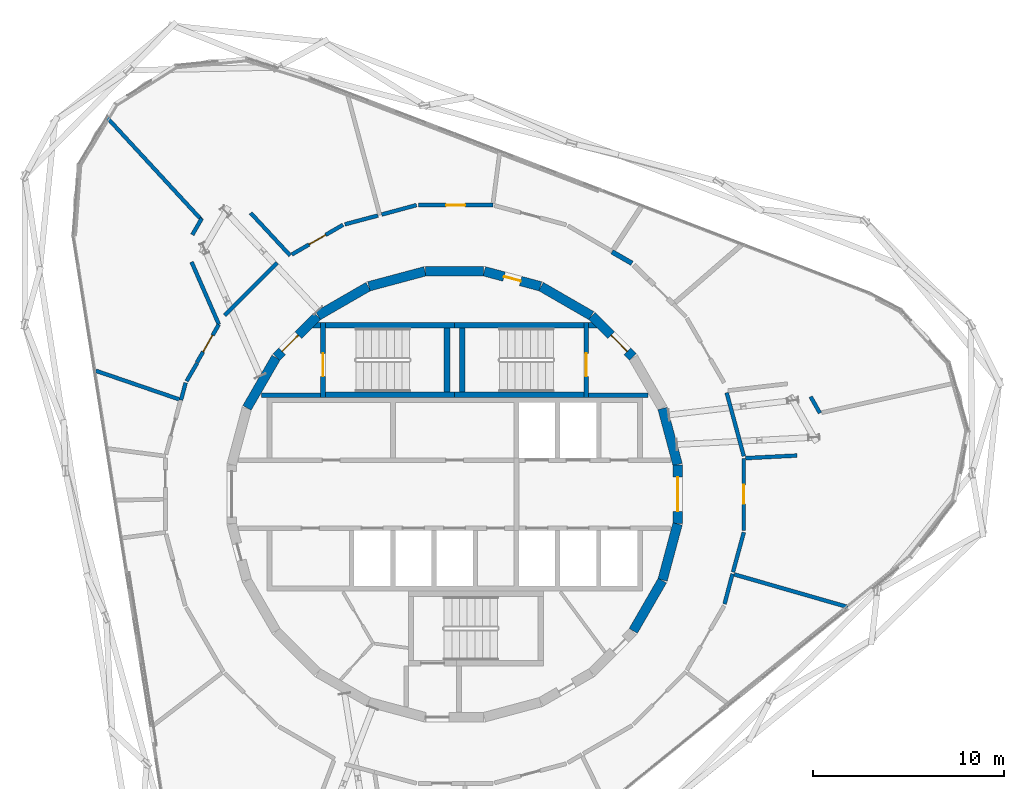
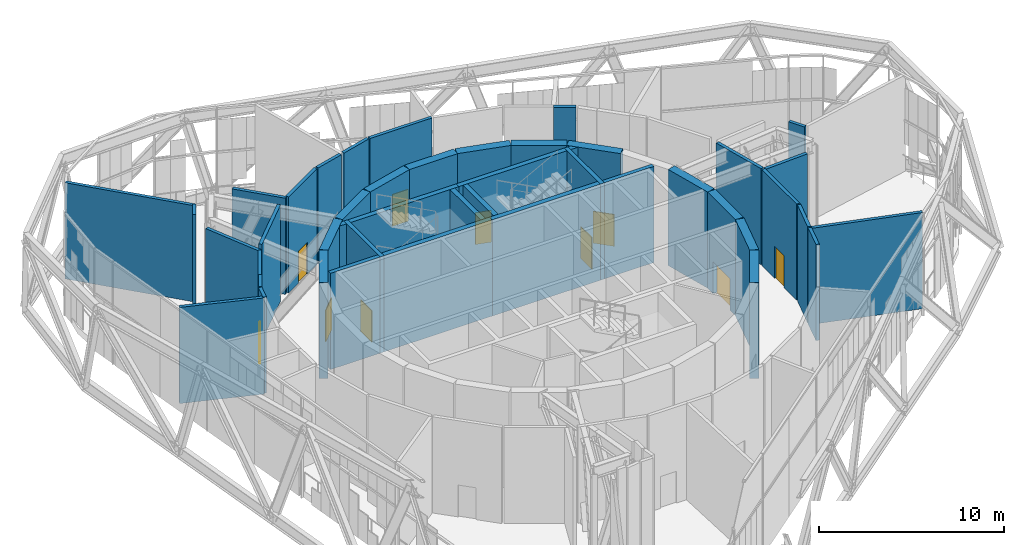
# One storey, part 21 of 25: 45 walls, 10 doors, 10 openings.
"""IFC4 building model written with IfcOpenShell, lengths in metres."""

from ifc_helpers import new_model, si_unit, direction, frame, frame_2d, origin, place, context, subcontext, project, spatial, polyline, rectangle, outline, extrude, material, layer, layer_set, type_object, element, fill, save


model = new_model("IFC4")

# Units and contexts
model_context = context("Model", 3, precision=1e-05, world=origin(), true_north=direction((0.0, 1.0)))
body_context = subcontext(model_context, "Body", "Model", "MODEL_VIEW")
ifc_project = project(units=[si_unit("LENGTHUNIT", "METRE"), si_unit("AREAUNIT", "SQUARE_METRE"), si_unit("VOLUMEUNIT", "CUBIC_METRE"), si_unit("PLANEANGLEUNIT", "RADIAN"), si_unit("MASSUNIT", "GRAM", prefix="KILO")], contexts=[model_context])

# Site, building, storey
site_placement = place(None, origin())
site = spatial("IfcSite", under=ifc_project, at=site_placement, CompositionType="ELEMENT")
building_placement = place(site_placement, origin())
building = spatial("IfcBuilding", under=site, at=building_placement, Name="Spindle Arch Residences", CompositionType="ELEMENT")
storey_placement = place(building_placement, frame((0.0, 0.0, 291.39990234375)))
storey = spatial("IfcBuildingStorey", under=building, at=storey_placement, Name="L75", CompositionType="ELEMENT", Elevation=291.39990234375)

# Walls
ifc_material_1 = material(Name="Concrete C50/60", Category="concrete")
ifc_layer_1 = layer(ifc_material_1, 0.5)
ifc_layer_set_1 = layer_set([ifc_layer_1], Name="Core outline wall 500")
wall_type_1 = type_object("IfcWallType", Name="Core outline wall 500", PredefinedType="SHEAR", material=ifc_layer_set_1)
for number, where, z_axis, x_axis, name in (
    (1, (9.32861328125, -7.13671875, 0.0), (0.0, 0.0, 1.0), (0.500087131594, 0.865975092491, 0.0), "Core outline wall 4"),
    (2, (10.858154296875, -4.479248046875, 0.0), (0.0, 0.0, 1.0), (0.258734743916, 0.965948410781, 0.0), "Core outline wall 5"),
):
    element("IfcWall", number, at=place(storey_placement, frame(where, z_axis=z_axis, x_axis=x_axis)), inside=storey, type_object=wall_type_1, Name=name, PredefinedType="SHEAR", context=body_context, shape_type="SweptSolid", body=[
        extrude(rectangle(XDim=3.03271484375, YDim=0.5, at=frame_2d((1.516357421875, 0.0))), origin(), (0.0, 0.0, 1.0), 6.35009765625),
    ])

# Wall, opening, door
wall_1_placement = place(storey_placement, frame((11.647216796875, -1.516357421875, 0.0), z_axis=(0.0, 0.0, 1.0), x_axis=(0.0, 1.0, 0.0)))
wall_1 = element("IfcWall", 3, at=wall_1_placement, inside=storey, type_object=wall_type_1, Name="Core outline wall 6", PredefinedType="SHEAR", context=body_context, shape_type="SweptSolid", body=[
    extrude(rectangle(XDim=3.03271484375, YDim=0.5, at=frame_2d((1.516357421875, 0.0))), origin(), (0.0, 0.0, 1.0), 6.35009765625),
])
opening_1_placement = place(wall_1_placement, frame((0.6162109375, 0.0, 0.0)))
opening_1 = element("IfcOpeningElement", 4, at=opening_1_placement, cuts=wall_1, Name="Opening L75-FE01", PredefinedType="OPENING", context=body_context, shape_type="SweptSolid", body=[
    extrude(rectangle(XDim=1.800048828125, YDim=2.10009765625, at=frame_2d((0.89990234375, 1.050048828125))), frame((0.0, 0.260009765625, 0.0), z_axis=(0.0, -1.0, 0.0), x_axis=(1.0, 0.0, 0.0)), (0.0, 0.0, 1.0), 0.52001953125),
])
ifc_material_2 = material(Name="Steel, fire-resisting door", Category="steel")
door_type_1 = type_object("IfcDoorType", Name="Fire-lift lobby door 1800x2100", OperationType="DOUBLE_DOOR_SINGLE_SWING", PredefinedType="DOOR", material=ifc_material_2)
door_1_placement = place(opening_1_placement, origin())
door_1 = element("IfcDoor", 5, at=door_1_placement, inside=storey, type_object=door_type_1, Name="Fire-lift lobby door L75-FE01", OperationType="DOUBLE_DOOR_SINGLE_SWING", OverallHeight=2.10009765625, OverallWidth=1.800048828125, PredefinedType="DOOR", context=body_context, shape_type="SweptSolid", body=[
    extrude(rectangle(XDim=1.800048828125, YDim=2.10009765625, at=frame_2d((0.89990234375, 1.050048828125))), frame((0.0, 0.02490234375, 0.0), z_axis=(0.0, -1.0, 0.0), x_axis=(1.0, 0.0, 0.0)), (0.0, 0.0, 1.0), 0.050048828125),
])
fill(opening_1, door_1)

# Wall
wall_2_placement = place(storey_placement, frame((11.642822265625, 1.5498046875, 0.0), z_axis=(0.0, 0.0, 1.0), x_axis=(-0.258734743916, 0.965948410781, 0.0)))
element("IfcWall", 6, at=wall_2_placement, inside=storey, type_object=wall_type_1, Name="Core outline wall 7", PredefinedType="SHEAR", context=body_context, shape_type="SweptSolid", body=[
    extrude(rectangle(XDim=3.03271484375, YDim=0.5, at=frame_2d((1.516357421875, 0.0))), origin(), (0.0, 0.0, 1.0), 6.35009765625),
])

# Wall, opening, door
wall_3_placement = place(storey_placement, frame((9.30810546875, 7.163818359375, 0.0), z_axis=(0.0, 0.0, 1.0), x_axis=(-0.707106781187, 0.707106781187, 0.0)))
wall_3 = element("IfcWall", 7, at=wall_3_placement, inside=storey, type_object=wall_type_1, Name="Core outline wall 9", PredefinedType="SHEAR", context=body_context, shape_type="SweptSolid", body=[
    extrude(rectangle(XDim=3.032470703125, YDim=0.5, at=frame_2d((1.51611328125, 0.0))), origin(), (0.0, 0.0, 1.0), 6.35009765625),
])
opening_2_placement = place(wall_3_placement, frame((0.416259765625, 0.0, 0.0)))
opening_2 = element("IfcOpeningElement", 8, at=opening_2_placement, cuts=wall_3, Name="Opening L75-AD01", PredefinedType="OPENING", context=body_context, shape_type="SweptSolid", body=[
    extrude(rectangle(XDim=1.199951171875, YDim=2.10009765625, at=frame_2d((0.60009765625, 1.050048828125))), frame((0.0, 0.260009765625, 0.0), z_axis=(0.0, -1.0, 0.0), x_axis=(1.0, 0.0, 0.0)), (0.0, 0.0, 1.0), 0.52001953125),
])
ifc_material_3 = material(Name="Steel, fire-resisting door", Category="steel")
door_type_2 = type_object("IfcDoorType", Name="Stair airlock door 1200x2100", OperationType="SINGLE_SWING_LEFT", PredefinedType="DOOR", material=ifc_material_3)
door_2_placement = place(opening_2_placement, origin())
door_2 = element("IfcDoor", 9, at=door_2_placement, inside=storey, type_object=door_type_2, Name="Stair airlock door L75-AD01", OperationType="SINGLE_SWING_RIGHT", OverallHeight=2.10009765625, OverallWidth=1.199951171875, PredefinedType="DOOR", context=body_context, shape_type="SweptSolid", body=[
    extrude(rectangle(XDim=1.199951171875, YDim=2.10009765625, at=frame_2d((0.60009765625, 1.050048828125))), frame((0.0, 0.02490234375, 0.0), z_axis=(0.0, -1.0, 0.0), x_axis=(1.0, 0.0, 0.0)), (0.0, 0.0, 1.0), 0.050048828125),
])
fill(opening_2, door_2)

# Wall
wall_4_placement = place(storey_placement, frame((7.13671875, 9.32861328125, 0.0), z_axis=(0.0, 0.0, 1.0), x_axis=(-0.865975092491, 0.500087131594, 0.0)))
element("IfcWall", 10, at=wall_4_placement, inside=storey, type_object=wall_type_1, Name="Core outline wall 10", PredefinedType="SHEAR", context=body_context, shape_type="SweptSolid", body=[
    extrude(rectangle(XDim=3.03271484375, YDim=0.5, at=frame_2d((1.516357421875, 0.0))), origin(), (0.0, 0.0, 1.0), 6.35009765625),
])

# Wall, opening, door
wall_5_placement = place(storey_placement, frame((4.479248046875, 10.858154296875, 0.0), z_axis=(0.0, 0.0, 1.0), x_axis=(-0.965948410781, 0.258734743916, 0.0)))
wall_5 = element("IfcWall", 11, at=wall_5_placement, inside=storey, type_object=wall_type_1, Name="Core outline wall 11", PredefinedType="SHEAR", context=body_context, shape_type="SweptSolid", body=[
    extrude(rectangle(XDim=3.03271484375, YDim=0.5, at=frame_2d((1.516357421875, 0.0))), origin(), (0.0, 0.0, 1.0), 6.35009765625),
])
opening_3_placement = place(wall_5_placement, frame((1.066162109375, 0.0, 0.0)))
opening_3 = element("IfcOpeningElement", 12, at=opening_3_placement, cuts=wall_5, Name="Opening L75-WD11", PredefinedType="OPENING", context=body_context, shape_type="SweptSolid", body=[
    extrude(rectangle(XDim=0.89990234375, YDim=2.10009765625, at=frame_2d((0.449951171875, 1.050048828125))), frame((0.0, 0.260009765625, 0.0), z_axis=(0.0, -1.0, 0.0), x_axis=(1.0, 0.0, 0.0)), (0.0, 0.0, 1.0), 0.52001953125),
])
ifc_material_4 = material(Name="Steel, fire-resisting door", Category="steel")
door_type_3 = type_object("IfcDoorType", Name="Service room door 900x2100", OperationType="SINGLE_SWING_LEFT", PredefinedType="DOOR", material=ifc_material_4)
door_3_placement = place(opening_3_placement, origin())
door_3 = element("IfcDoor", 13, at=door_3_placement, inside=storey, type_object=door_type_3, Name="Service room door L75-WD11", OperationType="SINGLE_SWING_LEFT", OverallHeight=2.10009765625, OverallWidth=0.89990234375, PredefinedType="DOOR", context=body_context, shape_type="SweptSolid", body=[
    extrude(rectangle(XDim=0.89990234375, YDim=2.10009765625, at=frame_2d((0.449951171875, 1.050048828125))), frame((0.0, 0.02490234375, 0.0), z_axis=(0.0, -1.0, 0.0), x_axis=(1.0, 0.0, 0.0)), (0.0, 0.0, 1.0), 0.050048828125),
])
fill(opening_3, door_3)

# Walls
for number, where, z_axis, x_axis, name in (
    (14, (1.516357421875, 11.647216796875, 0.0), (0.0, 0.0, 1.0), (-1.0, 0.0, 0.0), "Core outline wall 12"),
    (15, (-1.5498046875, 11.642822265625, 0.0), (0.0, 0.0, 1.0), (-0.965948410781, -0.258734743916, 0.0), "Core outline wall 13"),
    (16, (-4.510498046875, 10.84521484375, 0.0), (0.0, 0.0, 1.0), (-0.865975092491, -0.500087131594, 0.0), "Core outline wall 14"),
):
    element("IfcWall", number, at=place(storey_placement, frame(where, z_axis=z_axis, x_axis=x_axis)), inside=storey, type_object=wall_type_1, Name=name, PredefinedType="SHEAR", context=body_context, shape_type="SweptSolid", body=[
        extrude(rectangle(XDim=3.03271484375, YDim=0.5, at=frame_2d((1.516357421875, 0.0))), origin(), (0.0, 0.0, 1.0), 6.35009765625),
    ])

# Wall, opening, door
wall_6_placement = place(storey_placement, frame((-7.163818359375, 9.30810546875, 0.0), z_axis=(0.0, 0.0, 1.0), x_axis=(-0.707106781187, -0.707106781187, 0.0)))
wall_6 = element("IfcWall", 17, at=wall_6_placement, inside=storey, type_object=wall_type_1, Name="Core outline wall 15", PredefinedType="SHEAR", context=body_context, shape_type="SweptSolid", body=[
    extrude(rectangle(XDim=3.032470703125, YDim=0.5, at=frame_2d((1.51611328125, 0.0))), origin(), (0.0, 0.0, 1.0), 6.35009765625),
])
opening_4_placement = place(wall_6_placement, frame((1.416259765625, 0.0, 0.0)))
opening_4 = element("IfcOpeningElement", 18, at=opening_4_placement, cuts=wall_6, Name="Opening L75-AD02", PredefinedType="OPENING", context=body_context, shape_type="SweptSolid", body=[
    extrude(rectangle(XDim=1.199951171875, YDim=2.10009765625, at=frame_2d((0.60009765625, 1.050048828125))), frame((0.0, 0.260009765625, 0.0), z_axis=(0.0, -1.0, 0.0), x_axis=(1.0, 0.0, 0.0)), (0.0, 0.0, 1.0), 0.52001953125),
])
door_4_placement = place(opening_4_placement, origin())
door_4 = element("IfcDoor", 19, at=door_4_placement, inside=storey, type_object=door_type_2, Name="Stair airlock door L75-AD02", OperationType="SINGLE_SWING_RIGHT", OverallHeight=2.10009765625, OverallWidth=1.199951171875, PredefinedType="DOOR", context=body_context, shape_type="SweptSolid", body=[
    extrude(rectangle(XDim=1.199951171875, YDim=2.10009765625, at=frame_2d((0.60009765625, 1.050048828125))), frame((0.0, 0.02490234375, 0.0), z_axis=(0.0, -1.0, 0.0), x_axis=(1.0, 0.0, 0.0)), (0.0, 0.0, 1.0), 0.050048828125),
])
fill(opening_4, door_4)

# Walls
wall_7_placement = place(storey_placement, frame((-9.32861328125, 7.13671875, 0.0), z_axis=(0.0, 0.0, 1.0), x_axis=(-0.500087131594, -0.865975092491, 0.0)))
element("IfcWall", 20, at=wall_7_placement, inside=storey, type_object=wall_type_1, Name="Core outline wall 16", PredefinedType="SHEAR", context=body_context, shape_type="SweptSolid", body=[
    extrude(rectangle(XDim=3.03271484375, YDim=0.5, at=frame_2d((1.516357421875, 0.0))), origin(), (0.0, 0.0, 1.0), 6.35009765625),
])
ifc_material_5 = material(Name="Concrete C25/30 wall", Category="concrete")
ifc_layer_2 = layer(ifc_material_5, 0.25)
ifc_layer_set_2 = layer_set([ifc_layer_2], Name="Partition EI 120 250 store")
wall_type_2 = type_object("IfcWallType", Name="Partition EI 120 250 store", PredefinedType="PARTITIONING", material=ifc_layer_set_2)
wall_8_placement = place(storey_placement, frame((9.260009765625, 12.06005859375, 0.0), z_axis=(0.0, 0.0, 1.0), x_axis=(-0.866246515178, 0.499616828121, 0.0)))
element("IfcWall", 21, at=wall_8_placement, inside=storey, type_object=wall_type_2, Name="L75-W046", PredefinedType="PARTITIONING", context=body_context, shape_type="SweptSolid", body=[
    extrude(rectangle(XDim=1.20068359375, YDim=0.25, at=frame_2d((0.600341796875, 0.0))), origin(), (0.0, 0.0, 1.0), 6.35009765625),
])
ifc_material_6 = material(Name="Gypsum board partition on steel studs", Category="steel")
ifc_layer_3 = layer(ifc_material_6, 0.199951171875)
ifc_layer_set_3 = layer_set([ifc_layer_3], Name="Partition EI 60 200 amenity")
wall_type_3 = type_object("IfcWallType", Name="Partition EI 60 200 amenity", PredefinedType="PARTITIONING", material=ifc_layer_set_3)
wall_9_placement = place(storey_placement, frame((-18.739990234375, 6.449951171875, 0.0), z_axis=(0.0, 0.0, 1.0), x_axis=(0.945868240393, -0.324550877084, 0.0)))
element("IfcWall", 22, at=wall_9_placement, inside=storey, type_object=wall_type_3, Name="L75-W001", PredefinedType="PARTITIONING", context=body_context, shape_type="SweptSolid", body=[
    extrude(rectangle(XDim=4.683349609375, YDim=0.199951171875, at=frame_2d((2.341796875, 0.0))), origin(), (0.0, 0.0, 1.0), 6.35009765625),
])
wall_10_placement = place(storey_placement, frame((-14.050048828125, 5.820068359375, 0.0), z_axis=(0.0, 0.0, 1.0), x_axis=(-0.257613716205, -0.966247987435, 0.0)))
element("IfcWall", 23, at=wall_10_placement, inside=storey, type_object=wall_type_3, Name="L75-W010", PredefinedType="PARTITIONING", context=body_context, shape_type="SweptSolid", body=[
    extrude(rectangle(XDim=0.931640625, YDim=0.199951171875, at=frame_2d((0.4658203125, 0.0))), origin(), (0.0, 0.0, 1.0), 6.35009765625),
])
wall_11_placement = place(storey_placement, frame((-13.699951171875, 13.550048828125, 0.0), z_axis=(0.0, 0.0, 1.0), x_axis=(0.500425153996, 0.865779801825, 0.0)))
element("IfcWall", 24, at=wall_11_placement, inside=storey, type_object=wall_type_3, Name="L75-W011", PredefinedType="PARTITIONING", context=body_context, shape_type="SweptSolid", body=[
    extrude(rectangle(XDim=0.992431640625, YDim=0.199951171875, at=frame_2d((0.49609375, 0.0))), origin(), (0.0, 0.0, 1.0), 6.35009765625),
])
wall_12_placement = place(storey_placement, frame((-13.449951171875, 6.85009765625, 0.0), z_axis=(0.0, 0.0, 1.0), x_axis=(-0.503440074209, -0.864030145123, 0.0)))
element("IfcWall", 25, at=wall_12_placement, inside=storey, type_object=wall_type_3, Name="L75-W012", PredefinedType="PARTITIONING", context=body_context, shape_type="SweptSolid", body=[
    extrude(rectangle(XDim=1.092041015625, YDim=0.199951171875, at=frame_2d((0.5458984375, 0.0))), origin(), (0.0, 0.0, 1.0), 6.35009765625),
])
wall_13_placement = place(storey_placement, frame((-13.239990234375, 14.35009765625, 0.0), z_axis=(0.0, 0.0, 1.0), x_axis=(-0.678399850878, 0.734692889804, 0.0)))
element("IfcWall", 26, at=wall_13_placement, inside=storey, type_object=wall_type_3, Name="L75-W013", PredefinedType="PARTITIONING", context=body_context, shape_type="SweptSolid", body=[
    extrude(rectangle(XDim=7.28173828125, YDim=0.199951171875, at=frame_2d((3.640869140625, 0.0))), origin(), (0.0, 0.0, 1.0), 6.35009765625),
])

# Wall, opening, door
wall_14_placement = place(storey_placement, frame((-12.320068359375, 8.860107421875, 0.0), z_axis=(0.0, 0.0, 1.0), x_axis=(-0.498886625959, -0.866667257048, 0.0)))
wall_14 = element("IfcWall", 27, at=wall_14_placement, inside=storey, type_object=wall_type_3, Name="L75-W014", PredefinedType="PARTITIONING", context=body_context, shape_type="SweptSolid", body=[
    extrude(rectangle(XDim=2.284912109375, YDim=0.199951171875, at=frame_2d((1.142578125, 0.0))), origin(), (0.0, 0.0, 1.0), 6.35009765625),
])
opening_5_placement = place(wall_14_placement, frame((0.642333984375, 0.0, 0.0)))
opening_5 = element("IfcOpeningElement", 28, at=opening_5_placement, cuts=wall_14, Name="Opening L75-D11", PredefinedType="OPENING", context=body_context, shape_type="SweptSolid", body=[
    extrude(rectangle(XDim=1.0, YDim=2.10009765625, at=frame_2d((0.5, 1.050048828125))), frame((0.0, 0.10986328125, 0.0), z_axis=(0.0, -1.0, 0.0), x_axis=(1.0, 0.0, 0.0)), (0.0, 0.0, 1.0), 0.219970703125),
])
ifc_material_7 = material(Name="Timber door leaf", Category="wood")
door_type_4 = type_object("IfcDoorType", Name="Door 1000x2100 EI 30", OperationType="SINGLE_SWING_LEFT", PredefinedType="DOOR", material=ifc_material_7)
door_5_placement = place(opening_5_placement, origin())
door_5 = element("IfcDoor", 29, at=door_5_placement, inside=storey, type_object=door_type_4, Name="L75-D11", OperationType="SINGLE_SWING_LEFT", OverallHeight=2.10009765625, OverallWidth=1.0, PredefinedType="DOOR", context=body_context, shape_type="SweptSolid", body=[
    extrude(rectangle(XDim=1.0, YDim=2.10009765625, at=frame_2d((0.5, 1.050048828125))), frame((0.0, 0.02490234375, 0.0), z_axis=(0.0, -1.0, 0.0), x_axis=(1.0, 0.0, 0.0)), (0.0, 0.0, 1.0), 0.050048828125),
])
fill(opening_5, door_5)

# Walls
wall_15_placement = place(storey_placement, frame((-12.31005859375, 8.860107421875, 0.0), z_axis=(0.0, 0.0, 1.0), x_axis=(-0.400829604246, 0.916152622853, 0.0)))
element("IfcWall", 30, at=wall_15_placement, inside=storey, type_object=wall_type_3, Name="L75-W015", PredefinedType="PARTITIONING", context=body_context, shape_type="SweptSolid", body=[
    extrude(rectangle(XDim=3.5673828125, YDim=0.199951171875, at=frame_2d((1.78369140625, 0.0))), origin(), (0.0, 0.0, 1.0), 6.35009765625),
])
wall_16_placement = place(storey_placement, frame((-12.00927734375, 9.3408203125, 0.0), z_axis=(0.0, 0.0, 1.0), x_axis=(0.707106781187, 0.707106781187, 0.0)))
element("IfcWall", 31, at=wall_16_placement, inside=storey, type_object=wall_type_3, Name="L75-W018", PredefinedType="PARTITIONING", context=body_context, shape_type="SweptSolid", body=[
    extrude(rectangle(XDim=3.873779296875, YDim=0.199951171875, at=frame_2d((1.93701171875, 0.0))), origin(), (0.0, 0.0, 1.0), 6.35009765625),
])
wall_17_placement = place(storey_placement, frame((-8.590087890625, 12.469970703125, 0.0), z_axis=(0.0, 0.0, 1.0), x_axis=(-0.680892267187, 0.73238358835, 0.0)))
element("IfcWall", 32, at=wall_17_placement, inside=storey, type_object=wall_type_3, Name="L75-W020", PredefinedType="PARTITIONING", context=body_context, shape_type="SweptSolid", body=[
    extrude(rectangle(XDim=3.034423828125, YDim=0.199951171875, at=frame_2d((1.51708984375, 0.0))), origin(), (0.0, 0.0, 1.0), 6.35009765625),
])

# Wall, opening, door
wall_18_placement = place(storey_placement, frame((-5.830078125, 14.070068359375, 0.0), z_axis=(0.0, 0.0, 1.0), x_axis=(-0.865134039498, -0.501540719884, 0.0)))
wall_18 = element("IfcWall", 33, at=wall_18_placement, inside=storey, type_object=wall_type_3, Name="L75-W025", PredefinedType="PARTITIONING", context=body_context, shape_type="SweptSolid", body=[
    extrude(rectangle(XDim=3.090087890625, YDim=0.199951171875, at=frame_2d((1.544921875, 0.0))), origin(), (0.0, 0.0, 1.0), 6.35009765625),
])
opening_6_placement = place(wall_18_placement, frame((1.045166015625, 0.0, 0.0)))
opening_6 = element("IfcOpeningElement", 34, at=opening_6_placement, cuts=wall_18, Name="Opening L75-D15", PredefinedType="OPENING", context=body_context, shape_type="SweptSolid", body=[
    extrude(rectangle(XDim=1.0, YDim=2.10009765625, at=frame_2d((0.5, 1.050048828125))), frame((0.0, 0.10986328125, 0.0), z_axis=(0.0, -1.0, 0.0), x_axis=(1.0, 0.0, 0.0)), (0.0, 0.0, 1.0), 0.219970703125),
])
door_6_placement = place(opening_6_placement, origin())
door_6 = element("IfcDoor", 35, at=door_6_placement, inside=storey, type_object=door_type_4, Name="L75-D15", OperationType="SINGLE_SWING_LEFT", OverallHeight=2.10009765625, OverallWidth=1.0, PredefinedType="DOOR", context=body_context, shape_type="SweptSolid", body=[
    extrude(rectangle(XDim=1.0, YDim=2.10009765625, at=frame_2d((0.5, 1.050048828125))), frame((0.0, 0.02490234375, 0.0), z_axis=(0.0, -1.0, 0.0), x_axis=(1.0, 0.0, 0.0)), (0.0, 0.0, 1.0), 0.050048828125),
])
fill(opening_6, door_6)

# Walls
wall_19_placement = place(storey_placement, frame((-4.006591796875, 14.554443359375, 0.0), z_axis=(0.0, 0.0, 1.0), x_axis=(-0.966477180281, -0.256752526756, 0.0)))
element("IfcWall", 36, at=wall_19_placement, inside=storey, type_object=wall_type_3, Name="L75-W030", PredefinedType="PARTITIONING", context=body_context, shape_type="SweptSolid", body=[
    extrude(rectangle(XDim=1.78662109375, YDim=0.199951171875, at=frame_2d((0.893310546875, 0.0))), origin(), (0.0, 0.0, 1.0), 6.35009765625),
])
wall_20_placement = place(storey_placement, frame((-1.989990234375, 15.10009765625, 0.0), z_axis=(0.0, 0.0, 1.0), x_axis=(-0.965221616417, -0.261433033875, 0.0)))
element("IfcWall", 37, at=wall_20_placement, inside=storey, type_object=wall_type_3, Name="L75-W035", PredefinedType="PARTITIONING", context=body_context, shape_type="SweptSolid", body=[
    extrude(rectangle(XDim=1.88916015625, YDim=0.199951171875, at=frame_2d((0.944580078125, 0.0))), origin(), (0.0, 0.0, 1.0), 6.35009765625),
])

# Wall, opening, door
wall_21_placement = place(storey_placement, frame((1.989990234375, 15.10009765625, 0.0), z_axis=(0.0, 0.0, 1.0), x_axis=(-1.0, 0.0, 0.0)))
wall_21 = element("IfcWall", 38, at=wall_21_placement, inside=storey, type_object=wall_type_3, Name="L75-W039", PredefinedType="PARTITIONING", context=body_context, shape_type="SweptSolid", body=[
    extrude(rectangle(XDim=3.8798828125, YDim=0.199951171875, at=frame_2d((1.93994140625, 0.0))), origin(), (0.0, 0.0, 1.0), 6.35009765625),
])
opening_7_placement = place(wall_21_placement, frame((1.43994140625, 0.0, 0.0)))
opening_7 = element("IfcOpeningElement", 39, at=opening_7_placement, cuts=wall_21, Name="Opening L75-D14", PredefinedType="OPENING", context=body_context, shape_type="SweptSolid", body=[
    extrude(rectangle(XDim=1.0, YDim=2.10009765625, at=frame_2d((0.5, 1.050048828125))), frame((0.0, 0.10986328125, 0.0), z_axis=(0.0, -1.0, 0.0), x_axis=(1.0, 0.0, 0.0)), (0.0, 0.0, 1.0), 0.219970703125),
])
door_7_placement = place(opening_7_placement, origin())
door_7 = element("IfcDoor", 40, at=door_7_placement, inside=storey, type_object=door_type_4, Name="L75-D14", OperationType="SINGLE_SWING_LEFT", OverallHeight=2.10009765625, OverallWidth=1.0, PredefinedType="DOOR", context=body_context, shape_type="SweptSolid", body=[
    extrude(rectangle(XDim=1.0, YDim=2.10009765625, at=frame_2d((0.5, 1.050048828125))), frame((0.0, 0.02490234375, 0.0), z_axis=(0.0, -1.0, 0.0), x_axis=(1.0, 0.0, 0.0)), (0.0, 0.0, 1.0), 0.050048828125),
])
fill(opening_7, door_7)

# Walls
wall_22_placement = place(storey_placement, frame((14.095458984375, -5.7333984375, 0.0), z_axis=(0.0, 0.0, 1.0), x_axis=(0.254766547026, 0.967002588681, 0.0)))
element("IfcWall", 41, at=wall_22_placement, inside=storey, type_object=wall_type_3, Name="L75-W055", PredefinedType="PARTITIONING", context=body_context, shape_type="SweptSolid", body=[
    extrude(rectangle(XDim=1.627197265625, YDim=0.199951171875, at=frame_2d((0.8134765625, 0.0))), origin(), (0.0, 0.0, 1.0), 6.35009765625),
])
wall_23_placement = place(storey_placement, frame((14.5361328125, -4.0634765625, 0.0), z_axis=(0.0, 0.0, 1.0), x_axis=(0.262453998326, 0.964944505535, 0.0)))
element("IfcWall", 42, at=wall_23_placement, inside=storey, type_object=wall_type_3, Name="L75-W057", PredefinedType="PARTITIONING", context=body_context, shape_type="SweptSolid", body=[
    extrude(rectangle(XDim=2.14892578125, YDim=0.199951171875, at=frame_2d((1.074462890625, 0.0))), origin(), (0.0, 0.0, 1.0), 6.35009765625),
])
wall_24_placement = place(storey_placement, frame((14.606201171875, -4.1875, 0.0), z_axis=(0.0, 0.0, 1.0), x_axis=(0.961099801691, -0.276201323656, 0.0)))
element("IfcWall", 43, at=wall_24_placement, inside=storey, type_object=wall_type_3, Name="L75-W058", PredefinedType="PARTITIONING", context=body_context, shape_type="SweptSolid", body=[
    extrude(rectangle(XDim=6.16357421875, YDim=0.199951171875, at=frame_2d((3.081787109375, 0.0))), origin(), (0.0, 0.0, 1.0), 6.35009765625),
])

# Wall, opening, door
wall_25_placement = place(storey_placement, frame((15.10009765625, -1.889892578125, 0.0), z_axis=(0.0, 0.0, 1.0), x_axis=(0.0, 1.0, 0.0)))
wall_25 = element("IfcWall", 44, at=wall_25_placement, inside=storey, type_object=wall_type_3, Name="L75-W059", PredefinedType="PARTITIONING", context=body_context, shape_type="SweptSolid", body=[
    extrude(rectangle(XDim=3.769775390625, YDim=0.199951171875, at=frame_2d((1.884765625, 0.0))), origin(), (0.0, 0.0, 1.0), 6.35009765625),
])
opening_8_placement = place(wall_25_placement, frame((1.385009765625, 0.0, 0.0)))
opening_8 = element("IfcOpeningElement", 45, at=opening_8_placement, cuts=wall_25, Name="Opening L75-D07", PredefinedType="OPENING", context=body_context, shape_type="SweptSolid", body=[
    extrude(rectangle(XDim=1.0, YDim=2.10009765625, at=frame_2d((0.5, 1.050048828125))), frame((0.0, 0.10986328125, 0.0), z_axis=(0.0, -1.0, 0.0), x_axis=(1.0, 0.0, 0.0)), (0.0, 0.0, 1.0), 0.219970703125),
])
door_8_placement = place(opening_8_placement, origin())
door_8 = element("IfcDoor", 46, at=door_8_placement, inside=storey, type_object=door_type_4, Name="L75-D07", OperationType="SINGLE_SWING_LEFT", OverallHeight=2.10009765625, OverallWidth=1.0, PredefinedType="DOOR", context=body_context, shape_type="SweptSolid", body=[
    extrude(rectangle(XDim=1.0, YDim=2.10009765625, at=frame_2d((0.5, 1.050048828125))), frame((0.0, 0.02490234375, 0.0), z_axis=(0.0, -1.0, 0.0), x_axis=(1.0, 0.0, 0.0)), (0.0, 0.0, 1.0), 0.050048828125),
])
fill(opening_8, door_8)

# Walls
wall_26_placement = place(storey_placement, frame((15.199951171875, 1.885009765625, 0.0), z_axis=(0.0, 0.0, 1.0), x_axis=(0.998709926097, 0.050778770318, 0.0)))
element("IfcWall", 47, at=wall_26_placement, inside=storey, type_object=wall_type_3, Name="L75-W060", PredefinedType="PARTITIONING", context=body_context, shape_type="SweptSolid", body=[
    extrude(rectangle(XDim=2.677978515625, YDim=0.199951171875, at=frame_2d((1.3388671875, 0.0))), origin(), (0.0, 0.0, 1.0), 6.35009765625),
])
wall_27_placement = place(storey_placement, frame((15.10009765625, 1.989990234375, 0.0), z_axis=(0.0, 0.0, 1.0), x_axis=(-0.260504067916, 0.965472749796, 0.0)))
element("IfcWall", 48, at=wall_27_placement, inside=storey, type_object=wall_type_3, Name="L75-W061", PredefinedType="PARTITIONING", context=body_context, shape_type="SweptSolid", body=[
    extrude(rectangle(XDim=3.431884765625, YDim=0.199951171875, at=frame_2d((1.7158203125, 0.0))), origin(), (0.0, 0.0, 1.0), 6.35009765625),
])
wall_28_placement = place(storey_placement, frame((18.589599609375, 5.093017578125, 0.0), z_axis=(0.0, 0.0, 1.0), x_axis=(0.495441674579, -0.86864120734, 0.0)))
element("IfcWall", 49, at=wall_28_placement, inside=storey, type_object=wall_type_3, Name="L75-W063", PredefinedType="PARTITIONING", context=body_context, shape_type="SweptSolid", body=[
    extrude(rectangle(XDim=0.980712890625, YDim=0.199951171875, at=frame_2d((0.490234375, 0.0))), origin(), (0.0, 0.0, 1.0), 6.35009765625),
])
ifc_material_8 = material(Name="Concrete C40/50", Category="concrete")
ifc_layer_4 = layer(ifc_material_8, 0.25)
ifc_layer_set_4 = layer_set([ifc_layer_4], Name="Stair airlock wall 250")
wall_type_4 = type_object("IfcWallType", Name="Stair airlock wall 250", PredefinedType="SHEAR", material=ifc_layer_set_4)
for number, where, z_axis, x_axis, name in (
    (50, (7.0, 5.175048828125, 0.0), (0.0, 0.0, 1.0), (1.0, 0.0, 0.0), "Stair ST-1 airlock wall S"),
    (51, (-7.0, 5.175048828125, 0.0), (0.0, 0.0, 1.0), (-1.0, 0.0, 0.0), "Stair ST-2 airlock wall S"),
):
    element("IfcWall", number, at=place(storey_placement, frame(where, z_axis=z_axis, x_axis=x_axis)), inside=storey, type_object=wall_type_4, Name=name, PredefinedType="SHEAR", context=body_context, shape_type="SweptSolid", body=[
        extrude(rectangle(XDim=3.10009765625, YDim=0.25, at=frame_2d((1.550048828125, 0.0))), origin(), (0.0, 0.0, 1.0), 6.35009765625),
    ])
ifc_material_9 = material(Name="Concrete C40/50", Category="concrete")
wall_type_5 = type_object("IfcWallType", Name="Stair airlock wall profile", PredefinedType="SHEAR", material=ifc_material_9)
wall_29_placement = place(storey_placement, origin())
element("IfcWall", 52, at=wall_29_placement, inside=storey, type_object=wall_type_5, Name="Stair ST-1 airlock wall N", PredefinedType="SHEAR", context=body_context, shape_type="SweptSolid", body=[
    extrude(outline(polyline([(7.4482421875, 8.669921875), (7.0, 8.669921875), (7.0, 8.969970703125), (7.148193359375, 8.969970703125), (7.4482421875, 8.669921875)])), origin(), (0.0, 0.0, 1.0), 6.35009765625),
])
wall_30_placement = place(storey_placement, origin())
element("IfcWall", 53, at=wall_30_placement, inside=storey, type_object=wall_type_5, Name="Stair ST-2 airlock wall N", PredefinedType="SHEAR", context=body_context, shape_type="SweptSolid", body=[
    extrude(outline(polyline([(-7.148193359375, 8.969970703125), (-7.0, 8.969970703125), (-7.0, 8.669921875), (-7.4482421875, 8.669921875), (-7.148193359375, 8.969970703125)])), origin(), (0.0, 0.0, 1.0), 6.35009765625),
])

# Wall, opening, door
ifc_material_10 = material(Name="Concrete C50/60", Category="concrete")
ifc_layer_5 = layer(ifc_material_10, 0.25)
ifc_layer_set_5 = layer_set([ifc_layer_5], Name="Stair enclosure wall 250")
wall_type_6 = type_object("IfcWallType", Name="Stair enclosure wall 250", PredefinedType="SHEAR", material=ifc_layer_set_5)
wall_31_placement = place(storey_placement, frame((6.875, 5.050048828125, 0.0), z_axis=(0.0, 0.0, 1.0), x_axis=(0.0, 1.0, 0.0)))
wall_31 = element("IfcWall", 54, at=wall_31_placement, inside=storey, type_object=wall_type_6, Name="Stair ST-1 door wall", PredefinedType="SHEAR", context=body_context, shape_type="SweptSolid", body=[
    extrude(rectangle(XDim=3.919921875, YDim=0.25, at=frame_2d((1.9599609375, 0.0))), origin(), (0.0, 0.0, 1.0), 6.35009765625),
])
opening_9_placement = place(wall_31_placement, frame((1.110107421875, 0.0, 0.0)))
opening_9 = element("IfcOpeningElement", 55, at=opening_9_placement, cuts=wall_31, Name="Opening L75-SD01", PredefinedType="OPENING", context=body_context, shape_type="SweptSolid", body=[
    extrude(rectangle(XDim=1.199951171875, YDim=2.10009765625, at=frame_2d((0.60009765625, 1.050048828125))), frame((0.0, 0.135009765625, 0.0), z_axis=(0.0, -1.0, 0.0), x_axis=(1.0, 0.0, 0.0)), (0.0, 0.0, 1.0), 0.27001953125),
])
ifc_material_11 = material(Name="Steel, fire-resisting door", Category="steel")
door_type_5 = type_object("IfcDoorType", Name="Stair door 1200x2100", OperationType="SINGLE_SWING_RIGHT", PredefinedType="DOOR", material=ifc_material_11)
door_9_placement = place(opening_9_placement, origin())
door_9 = element("IfcDoor", 56, at=door_9_placement, inside=storey, type_object=door_type_5, Name="Stair door L75-SD01", OperationType="SINGLE_SWING_LEFT", OverallHeight=2.10009765625, OverallWidth=1.199951171875, PredefinedType="DOOR", context=body_context, shape_type="SweptSolid", body=[
    extrude(rectangle(XDim=1.199951171875, YDim=2.10009765625, at=frame_2d((0.60009765625, 1.050048828125))), frame((0.0, 0.02490234375, 0.0), z_axis=(0.0, -1.0, 0.0), x_axis=(1.0, 0.0, 0.0)), (0.0, 0.0, 1.0), 0.050048828125),
])
fill(opening_9, door_9)

wall_32_placement = place(storey_placement, frame((-6.875, 8.969970703125, 0.0), z_axis=(0.0, 0.0, 1.0), x_axis=(0.0, -1.0, 0.0)))
wall_32 = element("IfcWall", 57, at=wall_32_placement, inside=storey, type_object=wall_type_6, Name="Stair ST-2 door wall", PredefinedType="SHEAR", context=body_context, shape_type="SweptSolid", body=[
    extrude(rectangle(XDim=3.919921875, YDim=0.25, at=frame_2d((1.9599609375, 0.0))), origin(), (0.0, 0.0, 1.0), 6.35009765625),
])
opening_10_placement = place(wall_32_placement, frame((1.610107421875, 0.0, 0.0)))
opening_10 = element("IfcOpeningElement", 58, at=opening_10_placement, cuts=wall_32, Name="Opening L75-SD02", PredefinedType="OPENING", context=body_context, shape_type="SweptSolid", body=[
    extrude(rectangle(XDim=1.199951171875, YDim=2.10009765625, at=frame_2d((0.60009765625, 1.050048828125))), frame((0.0, 0.135009765625, 0.0), z_axis=(0.0, -1.0, 0.0), x_axis=(1.0, 0.0, 0.0)), (0.0, 0.0, 1.0), 0.27001953125),
])
door_10_placement = place(opening_10_placement, origin())
door_10 = element("IfcDoor", 59, at=door_10_placement, inside=storey, type_object=door_type_5, Name="Stair door L75-SD02", OperationType="SINGLE_SWING_LEFT", OverallHeight=2.10009765625, OverallWidth=1.199951171875, PredefinedType="DOOR", context=body_context, shape_type="SweptSolid", body=[
    extrude(rectangle(XDim=1.199951171875, YDim=2.10009765625, at=frame_2d((0.60009765625, 1.050048828125))), frame((0.0, 0.02490234375, 0.0), z_axis=(0.0, -1.0, 0.0), x_axis=(1.0, 0.0, 0.0)), (0.0, 0.0, 1.0), 0.050048828125),
])
fill(opening_10, door_10)

# Walls
ifc_material_12 = material(Name="Concrete C50/60", Category="concrete")
ifc_layer_6 = layer(ifc_material_12, 0.300048828125)
ifc_layer_set_6 = layer_set([ifc_layer_6], Name="Stair enclosure wall 300")
wall_type_7 = type_object("IfcWallType", Name="Stair enclosure wall 300", PredefinedType="SHEAR", material=ifc_layer_set_6)
for number, where, z_axis, x_axis, name in (
    (60, (0.0, 5.199951171875, 0.0), (0.0, 0.0, 1.0), (1.0, 0.0, 0.0), "Stair ST-1 enclosure wall S"),
    (61, (0.0, 8.820068359375, 0.0), (0.0, 0.0, 1.0), (1.0, 0.0, 0.0), "Stair ST-1 enclosure wall N"),
):
    element("IfcWall", number, at=place(storey_placement, frame(where, z_axis=z_axis, x_axis=x_axis)), inside=storey, type_object=wall_type_7, Name=name, PredefinedType="SHEAR", context=body_context, shape_type="SweptSolid", body=[
        extrude(rectangle(XDim=6.75, YDim=0.300048828125, at=frame_2d((3.375, 0.0))), origin(), (0.0, 0.0, 1.0), 6.35009765625),
    ])
wall_33_placement = place(storey_placement, frame((0.39990234375, 5.35009765625, 0.0), z_axis=(0.0, 0.0, 1.0), x_axis=(0.0, 1.0, 0.0)))
element("IfcWall", 62, at=wall_33_placement, inside=storey, type_object=wall_type_7, Name="Stair ST-1 enclosure wall F", PredefinedType="SHEAR", context=body_context, shape_type="SweptSolid", body=[
    extrude(rectangle(XDim=3.31982421875, YDim=0.300048828125, at=frame_2d((1.659912109375, 0.0))), origin(), (0.0, 0.0, 1.0), 6.35009765625),
])
for number, where, z_axis, x_axis, name in (
    (63, (-6.75, 5.199951171875, 0.0), (0.0, 0.0, 1.0), (1.0, 0.0, 0.0), "Stair ST-2 enclosure wall S"),
    (64, (-6.75, 8.820068359375, 0.0), (0.0, 0.0, 1.0), (1.0, 0.0, 0.0), "Stair ST-2 enclosure wall N"),
):
    element("IfcWall", number, at=place(storey_placement, frame(where, z_axis=z_axis, x_axis=x_axis)), inside=storey, type_object=wall_type_7, Name=name, PredefinedType="SHEAR", context=body_context, shape_type="SweptSolid", body=[
        extrude(rectangle(XDim=6.75, YDim=0.300048828125, at=frame_2d((3.375, 0.0))), origin(), (0.0, 0.0, 1.0), 6.35009765625),
    ])
wall_34_placement = place(storey_placement, frame((-0.39990234375, 5.35009765625, 0.0), z_axis=(0.0, 0.0, 1.0), x_axis=(0.0, 1.0, 0.0)))
element("IfcWall", 65, at=wall_34_placement, inside=storey, type_object=wall_type_7, Name="Stair ST-2 enclosure wall F", PredefinedType="SHEAR", context=body_context, shape_type="SweptSolid", body=[
    extrude(rectangle(XDim=3.31982421875, YDim=0.300048828125, at=frame_2d((1.659912109375, 0.0))), origin(), (0.0, 0.0, 1.0), 6.35009765625),
])

save(model, "model.ifc")
